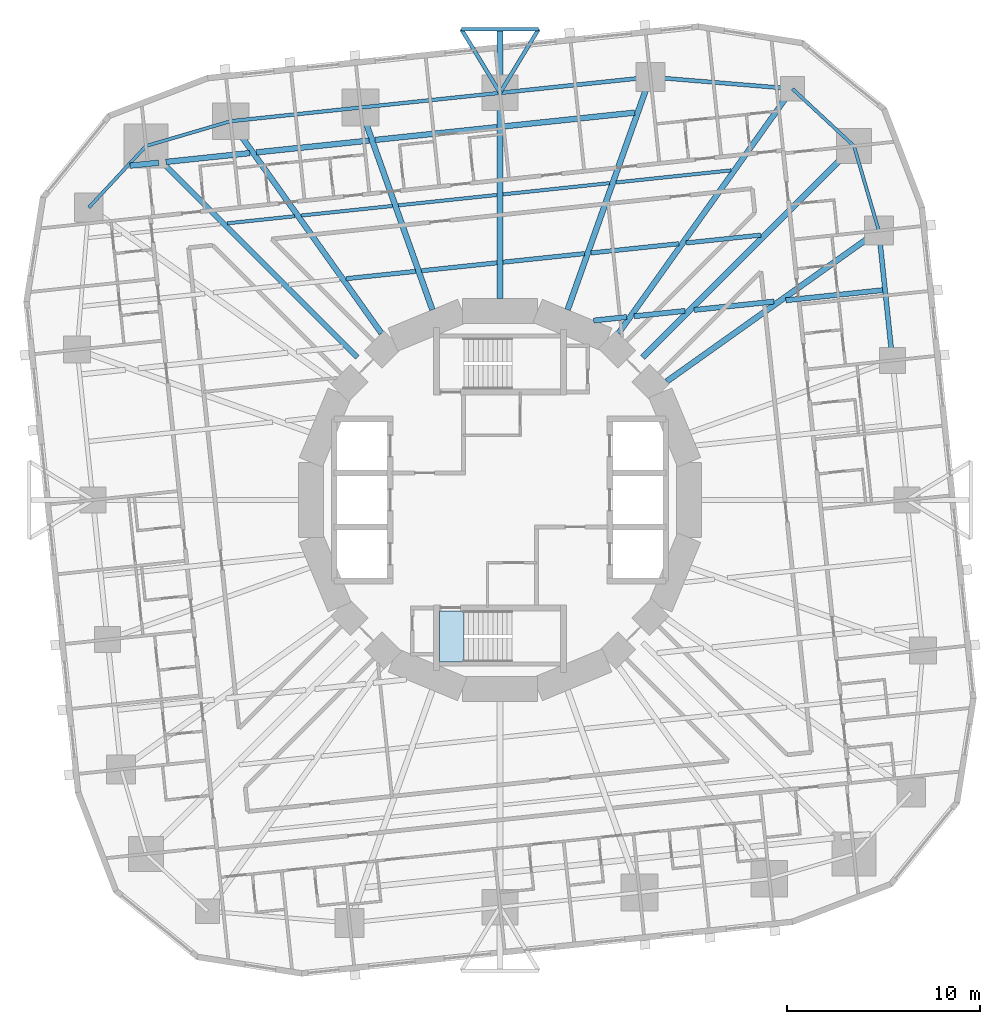
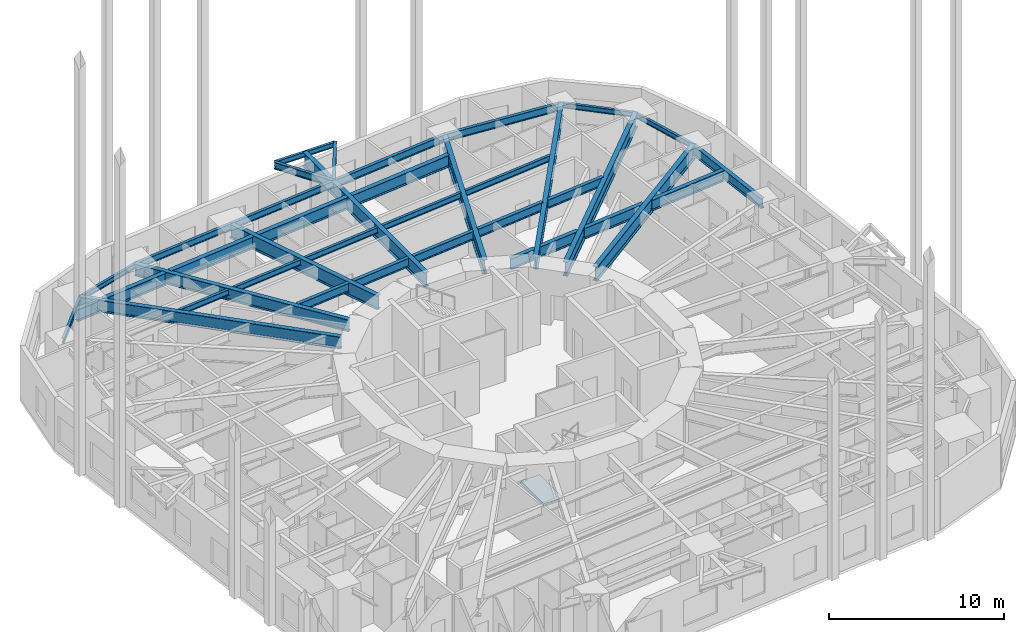
# One storey, part 3 of 13: 39 beams, 1 slab, 1 element without a shape of its own.
"""IFC4 building model written with IfcOpenShell, lengths in metres."""

from ifc_helpers import new_model, si_unit, direction, frame, origin, origin_2d, place, context, subcontext, project, spatial, polyline, i_section, outline, extrude, material, layer, layer_set, material_profile, profile_set, type_object, element, aggregate, save


model = new_model("IFC4")

# Units and contexts
model_context = context("Model", 3, precision=1e-05, world=origin(), true_north=direction((0.0, 1.0)))
body_context = subcontext(model_context, "Body", "Model", "MODEL_VIEW")
ifc_project = project(units=[si_unit("LENGTHUNIT", "METRE"), si_unit("AREAUNIT", "SQUARE_METRE"), si_unit("VOLUMEUNIT", "CUBIC_METRE"), si_unit("PLANEANGLEUNIT", "RADIAN"), si_unit("MASSUNIT", "GRAM", prefix="KILO")], contexts=[model_context])

# Site, building, storey
site_placement = place(None, origin())
site = spatial("IfcSite", under=ifc_project, at=site_placement, CompositionType="ELEMENT")
building_placement = place(site_placement, origin())
building = spatial("IfcBuilding", under=site, at=building_placement, Name="Nakasero Lantern House", CompositionType="ELEMENT")
storey_placement = place(building_placement, frame((0.0, 0.0, 60.5)))
storey = spatial("IfcBuildingStorey", under=building, at=storey_placement, Name="L14", CompositionType="ELEMENT", Elevation=60.5)

# Beams
ifc_material_1 = material(Name="Steel S355", Category="steel")
ifc_material_profile_1 = material_profile(ifc_material_1, i_section(OverallWidth=0.199462890625, OverallDepth=0.491943359375, WebThickness=0.01806640625, FlangeThickness=0.031982421875, FilletRadius=0.01025390625, at=origin_2d()), Name="UB 457x191x161")
ifc_profile_set_1 = profile_set([ifc_material_profile_1], Name="Steel S355")
beam_type_1 = type_object("IfcBeamType", Name="Balcony splay beam UB 457x191x161", PredefinedType="BEAM", material=ifc_profile_set_1)
for number, where, z_axis, x_axis, name in (
    (1, (0.0, 21.11572265625, 3.404052734375), (-0.518296107317, 0.855201230787, 0.0), (-0.855201230787, -0.518296107317, 0.0), "Balcony splay beam L15 B2-C09A"),
    (2, (0.0, 21.11572265625, 3.404052734375), (0.518296107317, 0.855201230787, 0.0), (-0.855201230787, 0.518296107317, 0.0), "Balcony splay beam L15 B2-C09B"),
):
    element("IfcBeam", number, at=place(storey_placement, frame(where, z_axis=z_axis, x_axis=x_axis)), inside=storey, type_object=beam_type_1, Name=name, PredefinedType="BEAM", context=body_context, shape_type="SweptSolid", body=[
        extrude(i_section(OverallWidth=0.199462890625, OverallDepth=0.491943359375, WebThickness=0.01806640625, FlangeThickness=0.031982421875, FilletRadius=0.01025390625, at=origin_2d()), origin(), (0.0, 0.0, 1.0), 3.85888671875),
    ])
ifc_material_2 = material(Name="Steel S355", Category="steel")
ifc_material_profile_2 = material_profile(ifc_material_2, i_section(OverallWidth=0.17138671875, OverallDepth=0.35498046875, WebThickness=0.00732421875, FlangeThickness=0.011474609375, FilletRadius=0.01025390625, at=origin_2d()), Name="UB 356x171x51")
ifc_profile_set_2 = profile_set([ifc_material_profile_2], Name="Steel S355")
beam_type_2 = type_object("IfcBeamType", Name="Balcony tie beam UB 356x171x51", PredefinedType="BEAM", material=ifc_profile_set_2)
beam_1_placement = place(storey_placement, frame((-2.0, 24.415771484375, 3.472412109375), z_axis=(1.0, 0.0, 0.0), x_axis=(0.0, 1.0, 0.0)))
element("IfcBeam", 3, at=beam_1_placement, inside=storey, type_object=beam_type_2, Name="Balcony tie beam L15 B2-C09", PredefinedType="BEAM", context=body_context, shape_type="SweptSolid", body=[
    extrude(i_section(OverallWidth=0.17138671875, OverallDepth=0.35498046875, WebThickness=0.00732421875, FlangeThickness=0.011474609375, FilletRadius=0.01025390625, at=origin_2d()), origin(), (0.0, 0.0, 1.0), 4.0),
])
ifc_material_3 = material(Name="Steel S355", Category="steel")
ifc_material_profile_3 = material_profile(ifc_material_3, i_section(OverallWidth=0.177978515625, OverallDepth=0.406494140625, WebThickness=0.0078125, FlangeThickness=0.0126953125, FilletRadius=0.01025390625, at=origin_2d()), Name="UB 406x178x60")
ifc_profile_set_3 = profile_set([ifc_material_profile_3], Name="Steel S355")
beam_type_3 = type_object("IfcBeamType", Name="Infill beam UB 406x178x60", PredefinedType="JOIST", material=ifc_profile_set_3)
beam_2_placement = place(storey_placement, frame((-14.1435546875, 14.35009765625, 3.44677734375), z_axis=(0.994521415391, 0.104533029842, 0.0), x_axis=(-0.104533029842, 0.994521415391, 0.0)))
element("IfcBeam", 4, at=beam_2_placement, inside=storey, type_object=beam_type_3, Name="Infill beam L15 12.3", PredefinedType="JOIST", context=body_context, shape_type="SweptSolid", body=[
    extrude(i_section(OverallWidth=0.177978515625, OverallDepth=0.406494140625, WebThickness=0.0078125, FlangeThickness=0.0126953125, FilletRadius=0.01025390625, at=origin_2d()), origin(), (0.0, 0.0, 1.0), 3.517333984375),
])
beam_3_placement = place(storey_placement, frame((-10.3115234375, 14.7529296875, 3.44677734375), z_axis=(0.994523439889, 0.104513767091, 0.0), x_axis=(-0.104513767091, 0.994523439889, 0.0)))
element("IfcBeam", 5, at=beam_3_placement, inside=storey, type_object=beam_type_3, Name="Infill beam L15 12.4", PredefinedType="JOIST", context=body_context, shape_type="SweptSolid", body=[
    extrude(i_section(OverallWidth=0.177978515625, OverallDepth=0.406494140625, WebThickness=0.0078125, FlangeThickness=0.0126953125, FilletRadius=0.01025390625, at=origin_2d()), origin(), (0.0, 0.0, 1.0), 4.756103515625),
])
beam_4_placement = place(storey_placement, frame((-5.2744140625, 15.282470703125, 3.44677734375), z_axis=(0.994522574566, 0.104522000929, 0.0), x_axis=(-0.104522000929, 0.994522574566, 0.0)))
element("IfcBeam", 6, at=beam_4_placement, inside=storey, type_object=beam_type_3, Name="Infill beam L15 12.5", PredefinedType="JOIST", context=body_context, shape_type="SweptSolid", body=[
    extrude(i_section(OverallWidth=0.177978515625, OverallDepth=0.406494140625, WebThickness=0.0078125, FlangeThickness=0.0126953125, FilletRadius=0.01025390625, at=origin_2d()), origin(), (0.0, 0.0, 1.0), 5.15283203125),
])
beam_5_placement = place(storey_placement, frame((0.14990234375, 15.8525390625, 3.44677734375), z_axis=(0.994524188375, 0.104506644464, 0.0), x_axis=(-0.104506644464, 0.994524188375, 0.0)))
element("IfcBeam", 7, at=beam_5_placement, inside=storey, type_object=beam_type_3, Name="Infill beam L15 12.6", PredefinedType="JOIST", context=body_context, shape_type="SweptSolid", body=[
    extrude(i_section(OverallWidth=0.177978515625, OverallDepth=0.406494140625, WebThickness=0.0078125, FlangeThickness=0.0126953125, FilletRadius=0.01025390625, at=origin_2d()), origin(), (0.0, 0.0, 1.0), 5.564697265625),
])
beam_6_placement = place(storey_placement, frame((6.014892578125, 16.468994140625, 3.44677734375), z_axis=(0.994521729164, 0.104530044579, 0.0), x_axis=(-0.104530044579, 0.994521729164, 0.0)))
element("IfcBeam", 8, at=beam_6_placement, inside=storey, type_object=beam_type_3, Name="Infill beam L15 12.7", PredefinedType="JOIST", context=body_context, shape_type="SweptSolid", body=[
    extrude(i_section(OverallWidth=0.177978515625, OverallDepth=0.406494140625, WebThickness=0.0078125, FlangeThickness=0.0126953125, FilletRadius=0.01025390625, at=origin_2d()), origin(), (0.0, 0.0, 1.0), 5.99560546875),
])
ifc_material_4 = material(Name="Steel S355", Category="steel")
ifc_material_profile_4 = material_profile(ifc_material_4, i_section(OverallWidth=0.22900390625, OverallDepth=0.6123046875, WebThickness=0.011962890625, FlangeThickness=0.01953125, FilletRadius=0.0126953125, at=origin_2d()), Name="UB 610x229x125")
ifc_profile_set_4 = profile_set([ifc_material_profile_4], Name="Steel S355")
beam_type_4 = type_object("IfcBeamType", Name="Infill beam UB 610x229x125", PredefinedType="JOIST", material=ifc_profile_set_4)
beam_7_placement = place(storey_placement, frame((-7.983154296875, 11.478515625, 3.343994140625), z_axis=(0.994523507044, 0.104513128058, 0.0), x_axis=(-0.104513128058, 0.994523507044, 0.0)))
element("IfcBeam", 9, at=beam_7_placement, inside=storey, type_object=beam_type_4, Name="Infill beam L15 11.4", PredefinedType="JOIST", context=body_context, shape_type="SweptSolid", body=[
    extrude(i_section(OverallWidth=0.22900390625, OverallDepth=0.6123046875, WebThickness=0.011962890625, FlangeThickness=0.01953125, FilletRadius=0.0126953125, at=origin_2d()), origin(), (0.0, 0.0, 1.0), 3.627685546875),
])
beam_8_placement = place(storey_placement, frame((-4.068359375, 11.889892578125, 3.343994140625), z_axis=(0.994521399206, 0.104533183829, 0.0), x_axis=(-0.104533183829, 0.994521399206, 0.0)))
element("IfcBeam", 10, at=beam_8_placement, inside=storey, type_object=beam_type_4, Name="Infill beam L15 11.5", PredefinedType="JOIST", context=body_context, shape_type="SweptSolid", body=[
    extrude(i_section(OverallWidth=0.22900390625, OverallDepth=0.6123046875, WebThickness=0.011962890625, FlangeThickness=0.01953125, FilletRadius=0.0126953125, at=origin_2d()), origin(), (0.0, 0.0, 1.0), 3.93994140625),
])
beam_9_placement = place(storey_placement, frame((0.14990234375, 12.333251953125, 3.343994140625), z_axis=(0.994521465317, 0.104532554847, 0.0), x_axis=(-0.104532554847, 0.994521465317, 0.0)))
element("IfcBeam", 11, at=beam_9_placement, inside=storey, type_object=beam_type_4, Name="Infill beam L15 11.6", PredefinedType="JOIST", context=body_context, shape_type="SweptSolid", body=[
    extrude(i_section(OverallWidth=0.22900390625, OverallDepth=0.6123046875, WebThickness=0.011962890625, FlangeThickness=0.01953125, FilletRadius=0.0126953125, at=origin_2d()), origin(), (0.0, 0.0, 1.0), 4.2578125),
])
beam_10_placement = place(storey_placement, frame((4.71484375, 12.81298828125, 3.343994140625), z_axis=(0.994522952874, 0.104518401282, 0.0), x_axis=(-0.104518401282, 0.994522952874, 0.0)))
element("IfcBeam", 12, at=beam_10_placement, inside=storey, type_object=beam_type_4, Name="Infill beam L15 11.7", PredefinedType="JOIST", context=body_context, shape_type="SweptSolid", body=[
    extrude(i_section(OverallWidth=0.22900390625, OverallDepth=0.6123046875, WebThickness=0.011962890625, FlangeThickness=0.01953125, FilletRadius=0.0126953125, at=origin_2d()), origin(), (0.0, 0.0, 1.0), 4.5830078125),
])
beam_11_placement = place(storey_placement, frame((9.66064453125, 13.332763671875, 3.343994140625), z_axis=(0.99451886442, 0.10455729679, 0.0), x_axis=(-0.10455729679, 0.99451886442, 0.0)))
element("IfcBeam", 13, at=beam_11_placement, inside=storey, type_object=beam_type_4, Name="Infill beam L15 11.8", PredefinedType="JOIST", context=body_context, shape_type="SweptSolid", body=[
    extrude(i_section(OverallWidth=0.22900390625, OverallDepth=0.6123046875, WebThickness=0.011962890625, FlangeThickness=0.01953125, FilletRadius=0.0126953125, at=origin_2d()), origin(), (0.0, 0.0, 1.0), 3.8876953125),
])
ifc_material_5 = material(Name="Steel S355", Category="steel")
ifc_material_profile_5 = material_profile(ifc_material_5, i_section(OverallWidth=0.2666015625, OverallDepth=0.76220703125, WebThickness=0.014404296875, FlangeThickness=0.021484375, FilletRadius=0.0166015625, at=origin_2d()), Name="UB 762x267x173")
ifc_profile_set_5 = profile_set([ifc_material_profile_5], Name="Steel S355")
beam_type_5 = type_object("IfcBeamType", Name="Infill beam UB 762x267x173", PredefinedType="JOIST", material=ifc_profile_set_5)
beam_12_placement = place(storey_placement, frame((4.85498046875, 9.30859375, 3.268798828125), z_axis=(0.994529501552, 0.104456069922, 0.0), x_axis=(-0.104456069922, 0.994529501552, 0.0)))
element("IfcBeam", 14, at=beam_12_placement, inside=storey, type_object=beam_type_5, Name="Infill beam L15 10.4", PredefinedType="JOIST", context=body_context, shape_type="SweptSolid", body=[
    extrude(i_section(OverallWidth=0.2666015625, OverallDepth=0.76220703125, WebThickness=0.014404296875, FlangeThickness=0.021484375, FilletRadius=0.0166015625, at=origin_2d()), origin(), (0.0, 0.0, 1.0), 1.72265625),
])
beam_13_placement = place(storey_placement, frame((6.955810546875, 9.529296875, 3.268798828125), z_axis=(0.994521575627, 0.104531505358, 0.0), x_axis=(-0.104531505358, 0.994521575627, 0.0)))
element("IfcBeam", 15, at=beam_13_placement, inside=storey, type_object=beam_type_5, Name="Infill beam L15 10.5", PredefinedType="JOIST", context=body_context, shape_type="SweptSolid", body=[
    extrude(i_section(OverallWidth=0.2666015625, OverallDepth=0.76220703125, WebThickness=0.014404296875, FlangeThickness=0.021484375, FilletRadius=0.0166015625, at=origin_2d()), origin(), (0.0, 0.0, 1.0), 2.6533203125),
])
beam_14_placement = place(storey_placement, frame((10.068603515625, 9.8564453125, 3.268798828125), z_axis=(0.994519573184, 0.104550555012, 0.0), x_axis=(-0.104550555012, 0.994519573184, 0.0)))
element("IfcBeam", 16, at=beam_14_placement, inside=storey, type_object=beam_type_5, Name="Infill beam L15 10.6", PredefinedType="JOIST", context=body_context, shape_type="SweptSolid", body=[
    extrude(i_section(OverallWidth=0.2666015625, OverallDepth=0.76220703125, WebThickness=0.014404296875, FlangeThickness=0.021484375, FilletRadius=0.0166015625, at=origin_2d()), origin(), (0.0, 0.0, 1.0), 4.166015625),
])
beam_15_placement = place(storey_placement, frame((14.8251953125, 10.3564453125, 3.268798828125), z_axis=(0.994522938326, 0.104518539716, 0.0), x_axis=(-0.104518539716, 0.994522938326, 0.0)))
element("IfcBeam", 17, at=beam_15_placement, inside=storey, type_object=beam_type_5, Name="Infill beam L15 10.7", PredefinedType="JOIST", context=body_context, shape_type="SweptSolid", body=[
    extrude(i_section(OverallWidth=0.2666015625, OverallDepth=0.76220703125, WebThickness=0.014404296875, FlangeThickness=0.021484375, FilletRadius=0.0166015625, at=origin_2d()), origin(), (0.0, 0.0, 1.0), 5.04541015625),
])
ifc_material_6 = material(Name="Steel S355", Category="steel")
ifc_material_profile_6 = material_profile(ifc_material_6, i_section(OverallWidth=0.29248046875, OverallDepth=0.8408203125, WebThickness=0.0146484375, FlangeThickness=0.02685546875, FilletRadius=0.017822265625, at=origin_2d()), Name="UB 838x292x194")
ifc_profile_set_6 = profile_set([ifc_material_profile_6], Name="Steel S355")
beam_type_6 = type_object("IfcBeamType", Name="Infill beam UB 838x292x194", PredefinedType="JOIST", material=ifc_profile_set_6)
beam_16_placement = place(storey_placement, frame((-19.190673828125, 17.339111328125, 3.229736328125), z_axis=(0.994535800288, 0.104396082038, 0.0), x_axis=(-0.104396082038, 0.994535800288, 0.0)))
element("IfcBeam", 18, at=beam_16_placement, inside=storey, type_object=beam_type_6, Name="Infill beam L15 13.1", PredefinedType="JOIST", context=body_context, shape_type="SweptSolid", body=[
    extrude(i_section(OverallWidth=0.29248046875, OverallDepth=0.8408203125, WebThickness=0.0146484375, FlangeThickness=0.02685546875, FilletRadius=0.017822265625, at=origin_2d()), origin(), (0.0, 0.0, 1.0), 1.49658203125),
])
beam_17_placement = place(storey_placement, frame((-17.328125, 17.53466796875, 3.229736328125), z_axis=(0.994518584312, 0.104559961062, 0.0), x_axis=(-0.104559961062, 0.994518584312, 0.0)))
element("IfcBeam", 19, at=beam_17_placement, inside=storey, type_object=beam_type_6, Name="Infill beam L15 13.2", PredefinedType="JOIST", context=body_context, shape_type="SweptSolid", body=[
    extrude(i_section(OverallWidth=0.29248046875, OverallDepth=0.8408203125, WebThickness=0.0146484375, FlangeThickness=0.02685546875, FilletRadius=0.017822265625, at=origin_2d()), origin(), (0.0, 0.0, 1.0), 4.3779296875),
])
beam_18_placement = place(storey_placement, frame((-12.64013671875, 18.027587890625, 3.229736328125), z_axis=(0.994524304789, 0.104505536616, 0.0), x_axis=(-0.104505536616, 0.994524304789, 0.0)))
element("IfcBeam", 20, at=beam_18_placement, inside=storey, type_object=beam_type_6, Name="Infill beam L15 13.3", PredefinedType="JOIST", context=body_context, shape_type="SweptSolid", body=[
    extrude(i_section(OverallWidth=0.29248046875, OverallDepth=0.8408203125, WebThickness=0.0146484375, FlangeThickness=0.02685546875, FilletRadius=0.017822265625, at=origin_2d()), origin(), (0.0, 0.0, 1.0), 5.884765625),
])
beam_19_placement = place(storey_placement, frame((-6.480712890625, 18.6748046875, 3.229736328125), z_axis=(0.994519733917, 0.104549026056, 0.0), x_axis=(-0.104549026056, 0.994519733917, 0.0)))
element("IfcBeam", 21, at=beam_19_placement, inside=storey, type_object=beam_type_6, Name="Infill beam L15 13.4", PredefinedType="JOIST", context=body_context, shape_type="SweptSolid", body=[
    extrude(i_section(OverallWidth=0.29248046875, OverallDepth=0.8408203125, WebThickness=0.0146484375, FlangeThickness=0.02685546875, FilletRadius=0.017822265625, at=origin_2d()), origin(), (0.0, 0.0, 1.0), 6.36572265625),
])
beam_20_placement = place(storey_placement, frame((0.14990234375, 19.371826171875, 3.229736328125), z_axis=(0.994522182542, 0.10452573096, 0.0), x_axis=(-0.10452573096, 0.994522182542, 0.0)))
element("IfcBeam", 22, at=beam_20_placement, inside=storey, type_object=beam_type_6, Name="Infill beam L15 13.5", PredefinedType="JOIST", context=body_context, shape_type="SweptSolid", body=[
    extrude(i_section(OverallWidth=0.29248046875, OverallDepth=0.8408203125, WebThickness=0.0146484375, FlangeThickness=0.02685546875, FilletRadius=0.017822265625, at=origin_2d()), origin(), (0.0, 0.0, 1.0), 6.87158203125),
])
ifc_material_7 = material(Name="Steel S355", Category="steel")
ifc_material_profile_7 = material_profile(ifc_material_7, i_section(OverallWidth=0.300048828125, OverallDepth=0.97998046875, WebThickness=0.0166015625, FlangeThickness=0.02587890625, FilletRadius=0.030029296875, at=origin_2d()), Name="UB 1016x305x249")
ifc_profile_set_7 = profile_set([ifc_material_profile_7], Name="Steel S355")
beam_type_7 = type_object("IfcBeamType", Name="Primary beam UB 1016x305x249, span 12 to 15 m", PredefinedType="BEAM", material=ifc_profile_set_7)
beam_21_placement = place(storey_placement, frame((7.79931640625, 21.935302734375, 3.159912109375), z_axis=(-0.335017564047, -0.942211882636, 0.0), x_axis=(0.942211882636, -0.335017564047, 0.0)))
element("IfcBeam", 23, at=beam_21_placement, inside=storey, type_object=beam_type_7, Name="Primary beam L15 B2-C08", PredefinedType="BEAM", context=body_context, shape_type="SweptSolid", body=[
    extrude(i_section(OverallWidth=0.300048828125, OverallDepth=0.97998046875, WebThickness=0.0166015625, FlangeThickness=0.02587890625, FilletRadius=0.030029296875, at=origin_2d()), origin(), (0.0, 0.0, 1.0), 12.80908203125),
])
ifc_material_8 = material(Name="Steel S355", Category="steel")
ifc_material_profile_8 = material_profile(ifc_material_8, i_section(OverallWidth=0.300048828125, OverallDepth=0.97998046875, WebThickness=0.0166015625, FlangeThickness=0.02587890625, FilletRadius=0.030029296875, at=origin_2d()), Name="UB 1016x305x249")
ifc_profile_set_8 = profile_set([ifc_material_profile_8], Name="Steel S355")
beam_type_8 = type_object("IfcBeamType", Name="Primary beam UB 1016x305x249, span 9 to 12 m", PredefinedType="BEAM", material=ifc_profile_set_8)
beam_22_placement = place(storey_placement, frame((-7.2373046875, 20.35498046875, 3.159912109375), z_axis=(0.335009234979, -0.942214844119, 0.0), x_axis=(0.942214844119, 0.335009234979, 0.0)))
element("IfcBeam", 24, at=beam_22_placement, inside=storey, type_object=beam_type_8, Name="Primary beam L15 B2-C10", PredefinedType="BEAM", context=body_context, shape_type="SweptSolid", body=[
    extrude(i_section(OverallWidth=0.300048828125, OverallDepth=0.97998046875, WebThickness=0.0166015625, FlangeThickness=0.02587890625, FilletRadius=0.030029296875, at=origin_2d()), origin(), (0.0, 0.0, 1.0), 11.1318359375),
])
ifc_material_9 = material(Name="Steel S355", Category="steel")
ifc_material_profile_9 = material_profile(ifc_material_9, i_section(OverallWidth=0.300048828125, OverallDepth=0.989990234375, WebThickness=0.0166015625, FlangeThickness=0.031005859375, FilletRadius=0.030029296875, at=origin_2d()), Name="UB 1016x305x272")
ifc_profile_set_9 = profile_set([ifc_material_profile_9], Name="Steel S355")
beam_type_9 = type_object("IfcBeamType", Name="Primary beam UB 1016x305x272, span 9 to 12 m", PredefinedType="BEAM", material=ifc_profile_set_9)
beam_23_placement = place(storey_placement, frame((0.0, 24.415771484375, 3.155029296875), z_axis=(0.0, -1.0, 0.0), x_axis=(1.0, 0.0, 0.0)))
element("IfcBeam", 25, at=beam_23_placement, inside=storey, type_object=beam_type_9, Name="Primary beam L15 B2-C09", PredefinedType="BEAM", context=body_context, shape_type="SweptSolid", body=[
    extrude(i_section(OverallWidth=0.300048828125, OverallDepth=0.989990234375, WebThickness=0.0166015625, FlangeThickness=0.031005859375, FilletRadius=0.030029296875, at=origin_2d()), origin(), (0.0, 0.0, 1.0), 13.9580078125),
])
ifc_material_10 = material(Name="Steel S355", Category="steel")
ifc_material_profile_10 = material_profile(ifc_material_10, i_section(OverallWidth=0.300048828125, OverallDepth=1.0, WebThickness=0.01904296875, FlangeThickness=0.035888671875, FilletRadius=0.030029296875, at=origin_2d()), Name="UB 1016x305x314")
ifc_profile_set_10 = profile_set([ifc_material_profile_10], Name="Steel S355")
beam_type_10 = type_object("IfcBeamType", Name="Primary beam UB 1016x305x314, span over 15 m", PredefinedType="BEAM", material=ifc_profile_set_10)
beam_24_placement = place(storey_placement, frame((18.359375, 18.359375, 3.150146484375), z_axis=(-0.707106781187, -0.707106781187, 0.0), x_axis=(0.707106781187, -0.707106781187, 0.0)))
element("IfcBeam", 26, at=beam_24_placement, inside=storey, type_object=beam_type_10, Name="Primary beam L15 B2-C06", PredefinedType="BEAM", context=body_context, shape_type="SweptSolid", body=[
    extrude(i_section(OverallWidth=0.300048828125, OverallDepth=1.0, WebThickness=0.01904296875, FlangeThickness=0.035888671875, FilletRadius=0.030029296875, at=origin_2d()), origin(), (0.0, 0.0, 1.0), 15.50634765625),
])
ifc_material_11 = material(Name="Steel S355", Category="steel")
ifc_material_profile_11 = material_profile(ifc_material_11, i_section(OverallWidth=0.302978515625, OverallDepth=1.015869140625, WebThickness=0.0244140625, FlangeThickness=0.0439453125, FilletRadius=0.030029296875, at=origin_2d()), Name="UB 1016x305x393")
ifc_profile_set_11 = profile_set([ifc_material_profile_11], Name="Steel S355")
beam_type_11 = type_object("IfcBeamType", Name="Primary beam UB 1016x305x393, span 12 to 15 m", PredefinedType="BEAM", material=ifc_profile_set_11)
beam_25_placement = place(storey_placement, frame((19.647216796875, 13.971435546875, 3.14208984375), z_axis=(-0.814948492976, -0.579533393168, 0.0), x_axis=(0.579533393168, -0.814948492976, 0.0)))
element("IfcBeam", 27, at=beam_25_placement, inside=storey, type_object=beam_type_11, Name="Primary beam L15 B2-C05", PredefinedType="BEAM", context=body_context, shape_type="SweptSolid", body=[
    extrude(i_section(OverallWidth=0.302978515625, OverallDepth=1.015869140625, WebThickness=0.0244140625, FlangeThickness=0.0439453125, FilletRadius=0.030029296875, at=origin_2d()), origin(), (0.0, 0.0, 1.0), 13.502685546875),
])
ifc_material_12 = material(Name="Steel S355", Category="steel")
ifc_material_profile_12 = material_profile(ifc_material_12, i_section(OverallWidth=0.29248046875, OverallDepth=0.8408203125, WebThickness=0.0146484375, FlangeThickness=0.02685546875, FilletRadius=0.017822265625, at=origin_2d()), Name="UB 838x292x194")
ifc_profile_set_12 = profile_set([ifc_material_profile_12], Name="Steel S355")
beam_type_12 = type_object("IfcBeamType", Name="Primary beam UB 838x292x194, span 12 to 15 m", PredefinedType="BEAM", material=ifc_profile_set_12)
beam_26_placement = place(storey_placement, frame((-13.971435546875, 19.647216796875, 3.229736328125), z_axis=(0.579533393168, -0.814948492976, 0.0), x_axis=(0.814948492976, 0.579533393168, 0.0)))
element("IfcBeam", 28, at=beam_26_placement, inside=storey, type_object=beam_type_12, Name="Primary beam L15 B2-C11", PredefinedType="BEAM", context=body_context, shape_type="SweptSolid", body=[
    extrude(i_section(OverallWidth=0.29248046875, OverallDepth=0.8408203125, WebThickness=0.0146484375, FlangeThickness=0.02685546875, FilletRadius=0.017822265625, at=origin_2d()), origin(), (0.0, 0.0, 1.0), 13.502685546875),
])
ifc_material_13 = material(Name="Steel S355", Category="steel")
ifc_material_profile_13 = material_profile(ifc_material_13, i_section(OverallWidth=0.29248046875, OverallDepth=0.8408203125, WebThickness=0.0146484375, FlangeThickness=0.02685546875, FilletRadius=0.017822265625, at=origin_2d()), Name="UB 838x292x194")
ifc_profile_set_13 = profile_set([ifc_material_profile_13], Name="Steel S355")
beam_type_13 = type_object("IfcBeamType", Name="Primary beam UB 838x292x194, span over 15 m", PredefinedType="BEAM", material=ifc_profile_set_13)
beam_27_placement = place(storey_placement, frame((15.16650390625, 21.327880859375, 3.229736328125), z_axis=(-0.57952911085, -0.814951538239, 0.0), x_axis=(0.814951538239, -0.57952911085, 0.0)))
element("IfcBeam", 29, at=beam_27_placement, inside=storey, type_object=beam_type_13, Name="Primary beam L15 B2-C07", PredefinedType="BEAM", context=body_context, shape_type="SweptSolid", body=[
    extrude(i_section(OverallWidth=0.29248046875, OverallDepth=0.8408203125, WebThickness=0.0146484375, FlangeThickness=0.02685546875, FilletRadius=0.017822265625, at=origin_2d()), origin(), (0.0, 0.0, 1.0), 15.564697265625),
])
beam_28_placement = place(storey_placement, frame((-18.359375, 18.359375, 3.229736328125), z_axis=(0.707106781187, -0.707106781187, 0.0), x_axis=(0.707106781187, 0.707106781187, 0.0)))
element("IfcBeam", 30, at=beam_28_placement, inside=storey, type_object=beam_type_13, Name="Primary beam L15 B2-C12", PredefinedType="BEAM", context=body_context, shape_type="SweptSolid", body=[
    extrude(i_section(OverallWidth=0.29248046875, OverallDepth=0.8408203125, WebThickness=0.0146484375, FlangeThickness=0.02685546875, FilletRadius=0.017822265625, at=origin_2d()), origin(), (0.0, 0.0, 1.0), 15.50634765625),
])
ifc_material_14 = material(Name="Steel S355", Category="steel")
ifc_material_profile_14 = material_profile(ifc_material_14, i_section(OverallWidth=0.17138671875, OverallDepth=0.35498046875, WebThickness=0.00732421875, FlangeThickness=0.011474609375, FilletRadius=0.01025390625, at=origin_2d()), Name="UB 356x171x51")
ifc_profile_set_14 = profile_set([ifc_material_profile_14], Name="Steel S355")
beam_type_14 = type_object("IfcBeamType", Name="Ring beam UB 356x171x51", PredefinedType="BEAM", material=ifc_profile_set_14)
beam_29_placement = place(storey_placement, frame((19.647216796875, 13.971435546875, 3.472412109375), z_axis=(-0.28161710443, 0.959526865957, 0.0), x_axis=(-0.959526865957, -0.28161710443, 0.0)))
element("IfcBeam", 31, at=beam_29_placement, inside=storey, type_object=beam_type_14, Name="Ring beam L15 B2-C05", PredefinedType="BEAM", context=body_context, shape_type="SweptSolid", body=[
    extrude(i_section(OverallWidth=0.17138671875, OverallDepth=0.35498046875, WebThickness=0.00732421875, FlangeThickness=0.011474609375, FilletRadius=0.01025390625, at=origin_2d()), origin(), (0.0, 0.0, 1.0), 4.572998046875),
])
beam_30_placement = place(storey_placement, frame((18.359375, 18.359375, 3.472412109375), z_axis=(-0.732370510336, 0.680906333933, 0.0), x_axis=(-0.680906333933, -0.732370510336, 0.0)))
element("IfcBeam", 32, at=beam_30_placement, inside=storey, type_object=beam_type_14, Name="Ring beam L15 B2-C06", PredefinedType="BEAM", context=body_context, shape_type="SweptSolid", body=[
    extrude(i_section(OverallWidth=0.17138671875, OverallDepth=0.35498046875, WebThickness=0.00732421875, FlangeThickness=0.011474609375, FilletRadius=0.01025390625, at=origin_2d()), origin(), (0.0, 0.0, 1.0), 4.359619140625),
])
beam_31_placement = place(storey_placement, frame((-13.971435546875, 19.647216796875, 3.472412109375), z_axis=(-0.959526865957, -0.28161710443, 0.0), x_axis=(0.28161710443, -0.959526865957, 0.0)))
element("IfcBeam", 33, at=beam_31_placement, inside=storey, type_object=beam_type_14, Name="Ring beam L15 B2-C11", PredefinedType="BEAM", context=body_context, shape_type="SweptSolid", body=[
    extrude(i_section(OverallWidth=0.17138671875, OverallDepth=0.35498046875, WebThickness=0.00732421875, FlangeThickness=0.011474609375, FilletRadius=0.01025390625, at=origin_2d()), origin(), (0.0, 0.0, 1.0), 4.572998046875),
])
beam_32_placement = place(storey_placement, frame((-18.359375, 18.359375, 3.472412109375), z_axis=(-0.680906333933, -0.732370510336, 0.0), x_axis=(0.732370510336, -0.680906333933, 0.0)))
element("IfcBeam", 34, at=beam_32_placement, inside=storey, type_object=beam_type_14, Name="Ring beam L15 B2-C12", PredefinedType="BEAM", context=body_context, shape_type="SweptSolid", body=[
    extrude(i_section(OverallWidth=0.17138671875, OverallDepth=0.35498046875, WebThickness=0.00732421875, FlangeThickness=0.011474609375, FilletRadius=0.01025390625, at=origin_2d()), origin(), (0.0, 0.0, 1.0), 4.359619140625),
])
ifc_material_15 = material(Name="Steel S355", Category="steel")
ifc_material_profile_15 = material_profile(ifc_material_15, i_section(OverallWidth=0.18994140625, OverallDepth=0.453369140625, WebThickness=0.008544921875, FlangeThickness=0.0126953125, FilletRadius=0.01025390625, at=origin_2d()), Name="UB 457x191x67")
ifc_profile_set_15 = profile_set([ifc_material_profile_15], Name="Steel S355")
beam_type_15 = type_object("IfcBeamType", Name="Ring beam UB 457x191x67", PredefinedType="BEAM", material=ifc_profile_set_15)
beam_33_placement = place(storey_placement, frame((-7.2373046875, 20.35498046875, 3.42333984375), z_axis=(-0.994522233155, -0.10452524939, 0.0), x_axis=(0.10452524939, -0.994522233155, 0.0)))
element("IfcBeam", 35, at=beam_33_placement, inside=storey, type_object=beam_type_15, Name="Ring beam L15 B2-C10", PredefinedType="BEAM", context=body_context, shape_type="SweptSolid", body=[
    extrude(i_section(OverallWidth=0.18994140625, OverallDepth=0.453369140625, WebThickness=0.008544921875, FlangeThickness=0.0126953125, FilletRadius=0.01025390625, at=origin_2d()), origin(), (0.0, 0.0, 1.0), 6.771240234375),
])
ifc_material_16 = material(Name="Steel S355", Category="steel")
ifc_material_profile_16 = material_profile(ifc_material_16, i_section(OverallWidth=0.19140625, OverallDepth=0.4599609375, WebThickness=0.010009765625, FlangeThickness=0.01611328125, FilletRadius=0.01025390625, at=origin_2d()), Name="UB 457x191x82")
ifc_profile_set_16 = profile_set([ifc_material_profile_16], Name="Steel S355")
beam_type_16 = type_object("IfcBeamType", Name="Ring beam UB 457x191x82", PredefinedType="BEAM", material=ifc_profile_set_16)
beam_34_placement = place(storey_placement, frame((0.0, 21.11572265625, 3.419921875), z_axis=(-0.994520883746, -0.104538087767, 0.0), x_axis=(0.104538087767, -0.994520883746, 0.0)))
element("IfcBeam", 36, at=beam_34_placement, inside=storey, type_object=beam_type_16, Name="Ring beam L15 B2-C09", PredefinedType="BEAM", context=body_context, shape_type="SweptSolid", body=[
    extrude(i_section(OverallWidth=0.19140625, OverallDepth=0.4599609375, WebThickness=0.010009765625, FlangeThickness=0.01611328125, FilletRadius=0.01025390625, at=origin_2d()), origin(), (0.0, 0.0, 1.0), 7.277099609375),
])
ifc_material_17 = material(Name="Steel S355", Category="steel")
ifc_material_profile_17 = material_profile(ifc_material_17, i_section(OverallWidth=0.208740234375, OverallDepth=0.5283203125, WebThickness=0.009521484375, FlangeThickness=0.01318359375, FilletRadius=0.0126953125, at=origin_2d()), Name="UB 533x210x82")
ifc_profile_set_17 = profile_set([ifc_material_profile_17], Name="Steel S355")
beam_type_17 = type_object("IfcBeamType", Name="Ring beam UB 533x210x82", PredefinedType="BEAM", material=ifc_profile_set_17)
beam_35_placement = place(storey_placement, frame((15.16650390625, 21.327880859375, 3.3857421875), z_axis=(-0.996618261264, 0.08217080574, 0.0), x_axis=(-0.08217080574, -0.996618261264, 0.0)))
element("IfcBeam", 37, at=beam_35_placement, inside=storey, type_object=beam_type_17, Name="Ring beam L15 B2-C07", PredefinedType="BEAM", context=body_context, shape_type="SweptSolid", body=[
    extrude(i_section(OverallWidth=0.208740234375, OverallDepth=0.5283203125, WebThickness=0.009521484375, FlangeThickness=0.01318359375, FilletRadius=0.0126953125, at=origin_2d()), origin(), (0.0, 0.0, 1.0), 7.39208984375),
])
beam_36_placement = place(storey_placement, frame((7.79931640625, 21.935302734375, 3.3857421875), z_axis=(-0.994524030789, -0.104508144098, 0.0), x_axis=(0.104508144098, -0.994524030789, 0.0)))
element("IfcBeam", 38, at=beam_36_placement, inside=storey, type_object=beam_type_17, Name="Ring beam L15 B2-C08", PredefinedType="BEAM", context=body_context, shape_type="SweptSolid", body=[
    extrude(i_section(OverallWidth=0.208740234375, OverallDepth=0.5283203125, WebThickness=0.009521484375, FlangeThickness=0.01318359375, FilletRadius=0.0126953125, at=origin_2d()), origin(), (0.0, 0.0, 1.0), 7.84228515625),
])
ifc_material_18 = material(Name="Steel S355", Category="steel")
ifc_material_profile_18 = material_profile(ifc_material_18, i_section(OverallWidth=0.255859375, OverallDepth=0.69287109375, WebThickness=0.014404296875, FlangeThickness=0.023681640625, FilletRadius=0.01513671875, at=origin_2d()), Name="UB 686x254x170")
ifc_profile_set_18 = profile_set([ifc_material_profile_18], Name="Steel S355")
beam_type_18 = type_object("IfcBeamType", Name="Ring beam UB 686x254x170", PredefinedType="BEAM", material=ifc_profile_set_18)
beam_37_placement = place(storey_placement, frame((20.35498046875, 7.2373046875, 3.303466796875), z_axis=(-0.10452524939, 0.994522233155, 0.0), x_axis=(-0.994522233155, -0.10452524939, 0.0)))
element("IfcBeam", 39, at=beam_37_placement, inside=storey, type_object=beam_type_18, Name="Ring beam L15 B2-C04", PredefinedType="BEAM", context=body_context, shape_type="SweptSolid", body=[
    extrude(i_section(OverallWidth=0.255859375, OverallDepth=0.69287109375, WebThickness=0.014404296875, FlangeThickness=0.023681640625, FilletRadius=0.01513671875, at=origin_2d()), origin(), (0.0, 0.0, 1.0), 6.771240234375),
])

# Stair, slab
ifc_material_19 = material(Name="Concrete C40/50", Category="concrete")
stair_type = type_object("IfcStairType", Name="Escape stair ST2 22 risers", PredefinedType="HALF_TURN_STAIR", material=ifc_material_19)
stair_placement = place(storey_placement, origin())
stair = element("IfcStair", 40, at=stair_placement, inside=storey, type_object=stair_type, Name="Escape stair ST2 L14", PredefinedType="HALF_TURN_STAIR")
ifc_material_20 = material(Name="Concrete C40/50", Category="concrete")
ifc_layer = layer(ifc_material_20, 0.199951171875)
ifc_layer_set = layer_set([ifc_layer], Name="Stair landing 200")
slab_type = type_object("IfcSlabType", Name="Stair landing 200", PredefinedType="LANDING", material=ifc_layer_set)
slab_placement = place(storey_placement, frame((0.0, 0.0, -0.199951171875)))
slab = element("IfcSlab", 41, at=slab_placement, type_object=slab_type, Name="ST2 landing 1", PredefinedType="LANDING", context=body_context, shape_type="SweptSolid", body=[
    extrude(outline(polyline([(-3.14990234375, -8.39990234375), (-1.875, -8.39990234375), (-1.875, -5.75), (-3.14990234375, -5.75), (-3.14990234375, -8.39990234375)])), origin(), (0.0, 0.0, 1.0), 0.199951171875),
])
aggregate(stair, [slab])

save(model, "model.ifc")
